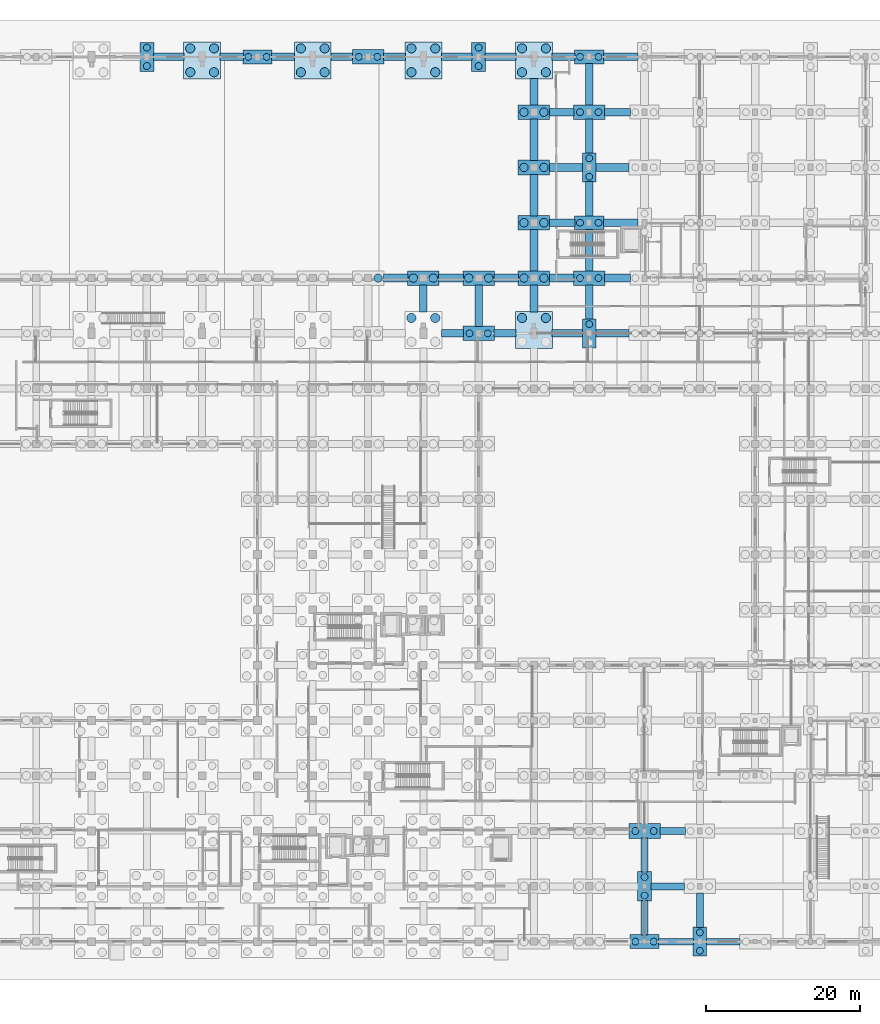
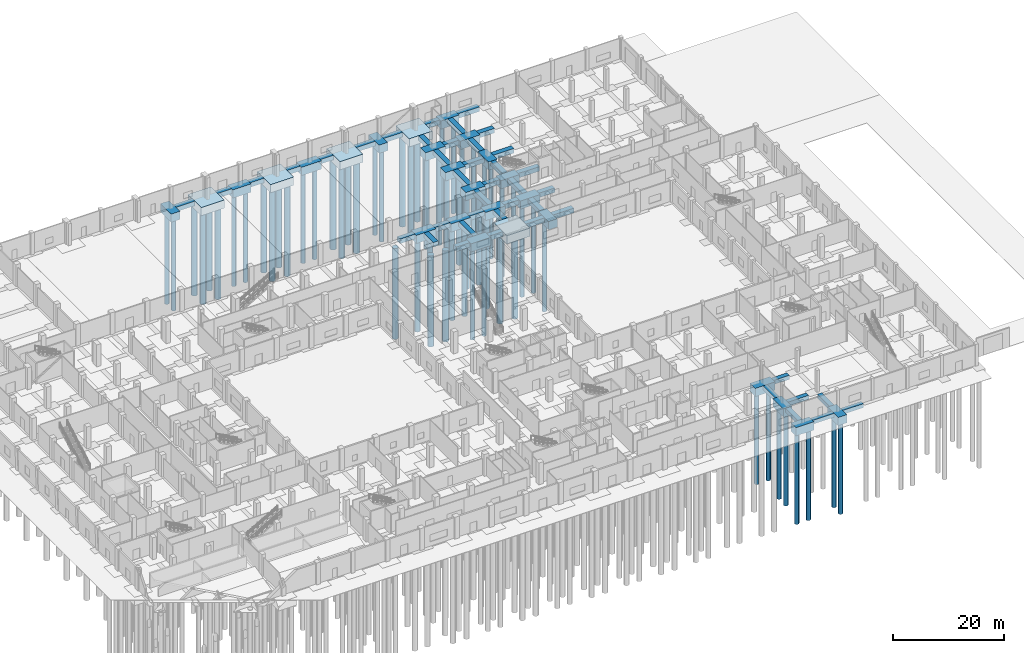
# One storey, part 9 of 48: 69 footings, 62 piles.
"""IFC4 building model written with IfcOpenShell, lengths in metres."""

from ifc_helpers import new_model, si_unit, direction, frame, origin, origin_2d, place, context, subcontext, project, spatial, rectangle, circle, extrude, material, material_profile, profile_set, type_object, element, save


model = new_model("IFC4")

# Units and contexts
model_context = context("Model", 3, precision=1e-05, world=origin(), true_north=direction((0.0, 1.0)))
body_context = subcontext(model_context, "Body", "Model", "MODEL_VIEW")
ifc_project = project(units=[si_unit("LENGTHUNIT", "METRE"), si_unit("AREAUNIT", "SQUARE_METRE"), si_unit("VOLUMEUNIT", "CUBIC_METRE"), si_unit("PLANEANGLEUNIT", "RADIAN"), si_unit("MASSUNIT", "GRAM", prefix="KILO")], contexts=[model_context])

# Site, building, storey
site_placement = place(None, origin())
site = spatial("IfcSite", under=ifc_project, at=site_placement, CompositionType="ELEMENT")
building_placement = place(site_placement, origin())
building = spatial("IfcBuilding", under=site, at=building_placement, Name="Seraya Terrace Polytechnic", CompositionType="ELEMENT")
storey_placement = place(building_placement, origin())
storey = spatial("IfcBuildingStorey", under=building, at=storey_placement, Name="L00", CompositionType="ELEMENT", Elevation=0.0)

# Piles
ifc_material = material(Name="Concrete C40/50", Category="concrete")
ifc_material_profile_1 = material_profile(ifc_material, circle(Radius=0.449951171875, at=origin_2d()), Name="DIA 900")
ifc_profile_set_1 = profile_set([ifc_material_profile_1], Name="Concrete C40/50")
pile_type_1 = type_object("IfcPileType", Name="BP-02", PredefinedType="BORED", material=ifc_profile_set_1)
for number, where, z_axis, x_axis, name in (
    (1, (64.800048828125, 114.0, -1.699951171875), (0.0, 0.0, -1.0), (1.0, 0.0, 0.0), "Bored pile BP-02 0648_1152-1"),
    (2, (64.800048828125, 116.39990234375, -1.699951171875), (0.0, 0.0, -1.0), (1.0, 0.0, 0.0), "Bored pile BP-02 0648_1152-2"),
    (3, (78.0, 115.199951171875, -1.699951171875), (0.0, 0.0, -1.0), (1.0, 0.0, 0.0), "Bored pile BP-02 0792_1152-1"),
    (4, (80.39990234375, 115.199951171875, -1.699951171875), (0.0, 0.0, -1.0), (1.0, 0.0, 0.0), "Bored pile BP-02 0792_1152-2"),
    (5, (92.39990234375, 115.199951171875, -1.699951171875), (0.0, 0.0, -1.0), (1.0, 0.0, 0.0), "Bored pile BP-02 0936_1152-1"),
    (6, (94.800048828125, 115.199951171875, -1.699951171875), (0.0, 0.0, -1.0), (1.0, 0.0, 0.0), "Bored pile BP-02 0936_1152-2"),
    (7, (106.800048828125, 79.199951171875, -1.699951171875), (0.0, 0.0, -1.0), (1.0, 0.0, 0.0), "Bored pile BP-02 1080_0792-1"),
    (8, (109.199951171875, 79.199951171875, -1.699951171875), (0.0, 0.0, -1.0), (1.0, 0.0, 0.0), "Bored pile BP-02 1080_0792-2"),
    (9, (108.0, 114.0, -1.699951171875), (0.0, 0.0, -1.0), (1.0, 0.0, 0.0), "Bored pile BP-02 1080_1152-1"),
    (10, (108.0, 116.39990234375, -1.699951171875), (0.0, 0.0, -1.0), (1.0, 0.0, 0.0), "Bored pile BP-02 1080_1152-2"),
    (11, (122.39990234375, 80.39990234375, -1.699951171875), (0.0, 0.0, -1.0), (1.0, 0.0, 0.0), "Bored pile BP-02 1224_0792-2"),
    (12, (121.199951171875, 86.39990234375, -1.699951171875), (0.0, 0.0, -1.0), (1.0, 0.0, 0.0), "Bored pile BP-02 1224_0864-1"),
    (13, (123.60009765625, 86.39990234375, -1.699951171875), (0.0, 0.0, -1.0), (1.0, 0.0, 0.0), "Bored pile BP-02 1224_0864-2"),
    (14, (121.199951171875, 93.60009765625, -1.699951171875), (0.0, 0.0, -1.0), (1.0, 0.0, 0.0), "Bored pile BP-02 1224_0936-1"),
    (15, (123.60009765625, 93.60009765625, -1.699951171875), (0.0, 0.0, -1.0), (1.0, 0.0, 0.0), "Bored pile BP-02 1224_0936-2"),
    (16, (122.39990234375, 99.60009765625, -1.699951171875), (0.0, 0.0, -1.0), (1.0, 0.0, 0.0), "Bored pile BP-02 1224_1008-1"),
    (17, (122.39990234375, 102.0, -1.699951171875), (0.0, 0.0, -1.0), (1.0, 0.0, 0.0), "Bored pile BP-02 1224_1008-2"),
    (18, (121.199951171875, 108.0, -1.699951171875), (0.0, 0.0, -1.0), (1.0, 0.0, 0.0), "Bored pile BP-02 1224_1080-1"),
    (19, (123.60009765625, 108.0, -1.699951171875), (0.0, 0.0, -1.0), (1.0, 0.0, 0.0), "Bored pile BP-02 1224_1080-2"),
    (20, (121.199951171875, 115.199951171875, -1.699951171875), (0.0, 0.0, -1.0), (1.0, 0.0, 0.0), "Bored pile BP-02 1224_1152-1"),
    (21, (123.60009765625, 115.199951171875, -1.699951171875), (0.0, 0.0, -1.0), (1.0, 0.0, 0.0), "Bored pile BP-02 1224_1152-2"),
    (22, (128.39990234375, 0.0, -1.699951171875), (0.0, 0.0, -1.0), (1.0, 0.0, 0.0), "Bored pile BP-02 1296_0000-1"),
    (23, (130.800048828125, 0.0, -1.699951171875), (0.0, 0.0, -1.0), (1.0, 0.0, 0.0), "Bored pile BP-02 1296_0000-2"),
    (24, (129.60009765625, 6.0, -1.699951171875), (0.0, 0.0, -1.0), (1.0, 0.0, 0.0), "Bored pile BP-02 1296_0072-1"),
    (25, (129.60009765625, 8.39990234375, -1.699951171875), (0.0, 0.0, -1.0), (1.0, 0.0, 0.0), "Bored pile BP-02 1296_0072-2"),
    (26, (128.39990234375, 14.39990234375, -1.699951171875), (0.0, 0.0, -1.0), (1.0, 0.0, 0.0), "Bored pile BP-02 1296_0144-1"),
    (27, (130.800048828125, 14.39990234375, -1.699951171875), (0.0, 0.0, -1.0), (1.0, 0.0, 0.0), "Bored pile BP-02 1296_0144-2"),
    (28, (136.800048828125, -1.199951171875, -1.699951171875), (0.0, 0.0, -1.0), (1.0, 0.0, 0.0), "Bored pile BP-02 1368_0000-1"),
    (29, (136.800048828125, 1.199951171875, -1.699951171875), (0.0, 0.0, -1.0), (1.0, 0.0, 0.0), "Bored pile BP-02 1368_0000-2"),
):
    element("IfcPile", number, at=place(storey_placement, frame(where, z_axis=z_axis, x_axis=x_axis)), inside=storey, type_object=pile_type_1, Name=name, PredefinedType="BORED", context=body_context, shape_type="SweptSolid", body=[
        extrude(circle(Radius=0.449951171875, at=origin_2d()), origin(), (0.0, 0.0, 1.0), 20.0),
    ])
ifc_material_profile_2 = material_profile(ifc_material, circle(Radius=0.550048828125, at=origin_2d()), Name="DIA 1100")
ifc_profile_set_2 = profile_set([ifc_material_profile_2], Name="Concrete C40/50")
pile_type_2 = type_object("IfcPileType", Name="BP-04", PredefinedType="BORED", material=ifc_profile_set_2)
for number, where, z_axis, x_axis, name in (
    (30, (94.89990234375, 86.39990234375, -1.699951171875), (0.0, 0.0, -1.0), (1.0, 0.0, 0.0), "Bored pile BP-04 0936_0864-2"),
    (31, (99.5, 86.39990234375, -1.699951171875), (0.0, 0.0, -1.0), (1.0, 0.0, 0.0), "Bored pile BP-04 1008_0864-1"),
    (32, (102.10009765625, 86.39990234375, -1.699951171875), (0.0, 0.0, -1.0), (1.0, 0.0, 0.0), "Bored pile BP-04 1008_0864-2"),
    (33, (106.699951171875, 86.39990234375, -1.699951171875), (0.0, 0.0, -1.0), (1.0, 0.0, 0.0), "Bored pile BP-04 1080_0864-1"),
    (34, (109.300048828125, 86.39990234375, -1.699951171875), (0.0, 0.0, -1.0), (1.0, 0.0, 0.0), "Bored pile BP-04 1080_0864-2"),
    (35, (113.89990234375, 86.39990234375, -1.699951171875), (0.0, 0.0, -1.0), (1.0, 0.0, 0.0), "Bored pile BP-04 1152_0864-1"),
    (36, (116.5, 86.39990234375, -1.699951171875), (0.0, 0.0, -1.0), (1.0, 0.0, 0.0), "Bored pile BP-04 1152_0864-2"),
    (37, (113.89990234375, 93.60009765625, -1.699951171875), (0.0, 0.0, -1.0), (1.0, 0.0, 0.0), "Bored pile BP-04 1152_0936-1"),
    (38, (116.5, 93.60009765625, -1.699951171875), (0.0, 0.0, -1.0), (1.0, 0.0, 0.0), "Bored pile BP-04 1152_0936-2"),
    (39, (113.89990234375, 100.800048828125, -1.699951171875), (0.0, 0.0, -1.0), (1.0, 0.0, 0.0), "Bored pile BP-04 1152_1008-1"),
    (40, (116.5, 100.800048828125, -1.699951171875), (0.0, 0.0, -1.0), (1.0, 0.0, 0.0), "Bored pile BP-04 1152_1008-2"),
    (41, (113.89990234375, 108.0, -1.699951171875), (0.0, 0.0, -1.0), (1.0, 0.0, 0.0), "Bored pile BP-04 1152_1080-1"),
    (42, (116.5, 108.0, -1.699951171875), (0.0, 0.0, -1.0), (1.0, 0.0, 0.0), "Bored pile BP-04 1152_1080-2"),
):
    element("IfcPile", number, at=place(storey_placement, frame(where, z_axis=z_axis, x_axis=x_axis)), inside=storey, type_object=pile_type_2, Name=name, PredefinedType="BORED", context=body_context, shape_type="SweptSolid", body=[
        extrude(circle(Radius=0.550048828125, at=origin_2d()), origin(), (0.0, 0.0, 1.0), 20.0),
    ])
ifc_material_profile_3 = material_profile(ifc_material, circle(Radius=0.60009765625, at=origin_2d()), Name="DIA 1200")
ifc_profile_set_3 = profile_set([ifc_material_profile_3], Name="Concrete C40/50")
pile_type_3 = type_object("IfcPileType", Name="BP-05", PredefinedType="BORED", material=ifc_profile_set_3)
for number, where, z_axis, x_axis, name in (
    (43, (70.449951171875, 113.199951171875, -1.699951171875), (0.0, 0.0, -1.0), (1.0, 0.0, 0.0), "Bored pile BP-05 0720_1152-1"),
    (44, (73.550048828125, 113.199951171875, -1.699951171875), (0.0, 0.0, -1.0), (1.0, 0.0, 0.0), "Bored pile BP-05 0720_1152-2"),
    (45, (70.449951171875, 116.300048828125, -1.699951171875), (0.0, 0.0, -1.0), (1.0, 0.0, 0.0), "Bored pile BP-05 0720_1152-3"),
    (46, (73.550048828125, 116.300048828125, -1.699951171875), (0.0, 0.0, -1.0), (1.0, 0.0, 0.0), "Bored pile BP-05 0720_1152-4"),
    (47, (84.85009765625, 113.199951171875, -1.699951171875), (0.0, 0.0, -1.0), (1.0, 0.0, 0.0), "Bored pile BP-05 0864_1152-1"),
    (48, (87.949951171875, 113.199951171875, -1.699951171875), (0.0, 0.0, -1.0), (1.0, 0.0, 0.0), "Bored pile BP-05 0864_1152-2"),
    (49, (84.85009765625, 116.300048828125, -1.699951171875), (0.0, 0.0, -1.0), (1.0, 0.0, 0.0), "Bored pile BP-05 0864_1152-3"),
    (50, (87.949951171875, 116.300048828125, -1.699951171875), (0.0, 0.0, -1.0), (1.0, 0.0, 0.0), "Bored pile BP-05 0864_1152-4"),
    (51, (99.25, 81.199951171875, -1.699951171875), (0.0, 0.0, -1.0), (1.0, 0.0, 0.0), "Bored pile BP-05 1008_0792-3"),
    (52, (102.35009765625, 81.199951171875, -1.699951171875), (0.0, 0.0, -1.0), (1.0, 0.0, 0.0), "Bored pile BP-05 1008_0792-4"),
    (53, (99.25, 113.199951171875, -1.699951171875), (0.0, 0.0, -1.0), (1.0, 0.0, 0.0), "Bored pile BP-05 1008_1152-1"),
    (54, (102.35009765625, 113.199951171875, -1.699951171875), (0.0, 0.0, -1.0), (1.0, 0.0, 0.0), "Bored pile BP-05 1008_1152-2"),
    (55, (99.25, 116.300048828125, -1.699951171875), (0.0, 0.0, -1.0), (1.0, 0.0, 0.0), "Bored pile BP-05 1008_1152-3"),
    (56, (102.35009765625, 116.300048828125, -1.699951171875), (0.0, 0.0, -1.0), (1.0, 0.0, 0.0), "Bored pile BP-05 1008_1152-4"),
    (57, (113.64990234375, 81.199951171875, -1.699951171875), (0.0, 0.0, -1.0), (1.0, 0.0, 0.0), "Bored pile BP-05 1152_0792-3"),
    (58, (116.75, 81.199951171875, -1.699951171875), (0.0, 0.0, -1.0), (1.0, 0.0, 0.0), "Bored pile BP-05 1152_0792-4"),
    (59, (113.64990234375, 113.199951171875, -1.699951171875), (0.0, 0.0, -1.0), (1.0, 0.0, 0.0), "Bored pile BP-05 1152_1152-1"),
    (60, (116.75, 113.199951171875, -1.699951171875), (0.0, 0.0, -1.0), (1.0, 0.0, 0.0), "Bored pile BP-05 1152_1152-2"),
    (61, (113.64990234375, 116.300048828125, -1.699951171875), (0.0, 0.0, -1.0), (1.0, 0.0, 0.0), "Bored pile BP-05 1152_1152-3"),
    (62, (116.75, 116.300048828125, -1.699951171875), (0.0, 0.0, -1.0), (1.0, 0.0, 0.0), "Bored pile BP-05 1152_1152-4"),
):
    element("IfcPile", number, at=place(storey_placement, frame(where, z_axis=z_axis, x_axis=x_axis)), inside=storey, type_object=pile_type_3, Name=name, PredefinedType="BORED", context=body_context, shape_type="SweptSolid", body=[
        extrude(circle(Radius=0.60009765625, at=origin_2d()), origin(), (0.0, 0.0, 1.0), 20.0),
    ])

# Footings
footing_type_1 = type_object("IfcFootingType", Name="FB-01", PredefinedType="FOOTING_BEAM", material=ifc_material)
footing_1_placement = place(storey_placement, frame((129.60009765625, 3.10009765625, -0.89990234375), z_axis=(0.0, 0.0, 1.0), x_axis=(0.0, 1.0, 0.0)))
element("IfcFooting", 63, at=footing_1_placement, inside=storey, type_object=footing_type_1, Name="Foundation tie beam FB-01 Y", PredefinedType="FOOTING_BEAM", context=body_context, shape_type="SweptSolid", body=[
    extrude(rectangle(XDim=4.5, YDim=0.89990234375, at=origin_2d()), origin(), (0.0, 0.0, 1.0), 0.89990234375),
])
footing_2_placement = place(storey_placement, frame((132.625, 7.199951171875, -0.89990234375), z_axis=(0.0, 0.0, 1.0), x_axis=(1.0, 0.0, 0.0)))
element("IfcFooting", 64, at=footing_2_placement, inside=storey, type_object=footing_type_1, Name="Foundation tie beam FB-01 X", PredefinedType="FOOTING_BEAM", context=body_context, shape_type="SweptSolid", body=[
    extrude(rectangle(XDim=4.35009765625, YDim=0.89990234375, at=origin_2d()), origin(), (0.0, 0.0, 1.0), 0.89990234375),
])
footing_3_placement = place(storey_placement, frame((129.60009765625, 11.27490234375, -0.89990234375), z_axis=(0.0, 0.0, 1.0), x_axis=(0.0, 1.0, 0.0)))
element("IfcFooting", 65, at=footing_3_placement, inside=storey, type_object=footing_type_1, Name="Foundation tie beam FB-01 Y", PredefinedType="FOOTING_BEAM", context=body_context, shape_type="SweptSolid", body=[
    extrude(rectangle(XDim=4.449951171875, YDim=0.89990234375, at=origin_2d()), origin(), (0.0, 0.0, 1.0), 0.89990234375),
])
footing_4_placement = place(storey_placement, frame((133.27490234375, 14.39990234375, -0.89990234375), z_axis=(0.0, 0.0, 1.0), x_axis=(1.0, 0.0, 0.0)))
element("IfcFooting", 66, at=footing_4_placement, inside=storey, type_object=footing_type_1, Name="Foundation tie beam FB-01 X", PredefinedType="FOOTING_BEAM", context=body_context, shape_type="SweptSolid", body=[
    extrude(rectangle(XDim=3.35009765625, YDim=0.89990234375, at=origin_2d()), origin(), (0.0, 0.0, 1.0), 0.89990234375),
])
footing_5_placement = place(storey_placement, frame((136.800048828125, 4.074951171875, -0.89990234375), z_axis=(0.0, 0.0, 1.0), x_axis=(0.0, 1.0, 0.0)))
element("IfcFooting", 67, at=footing_5_placement, inside=storey, type_object=footing_type_1, Name="Foundation tie beam FB-01 Y", PredefinedType="FOOTING_BEAM", context=body_context, shape_type="SweptSolid", body=[
    extrude(rectangle(XDim=4.449951171875, YDim=0.89990234375, at=origin_2d()), origin(), (0.0, 0.0, 1.0), 0.89990234375),
])
footing_type_2 = type_object("IfcFootingType", Name="FB-03", PredefinedType="FOOTING_BEAM", material=ifc_material)
footing_6_placement = place(storey_placement, frame((67.64990234375, 115.199951171875, -1.0), z_axis=(0.0, 0.0, 1.0), x_axis=(1.0, 0.0, 0.0)))
element("IfcFooting", 68, at=footing_6_placement, inside=storey, type_object=footing_type_2, Name="Foundation tie beam FB-03 X", PredefinedType="FOOTING_BEAM", context=body_context, shape_type="SweptSolid", body=[
    extrude(rectangle(XDim=4.0, YDim=1.0, at=origin_2d()), origin(), (0.0, 0.0, 1.0), 1.0),
])
for number, where, z_axis, x_axis, name in (
    (69, (75.85009765625, 115.199951171875, -1.0), (0.0, 0.0, 1.0), (1.0, 0.0, 0.0), "Foundation tie beam FB-03 X"),
    (70, (82.550048828125, 115.199951171875, -1.0), (0.0, 0.0, 1.0), (1.0, 0.0, 0.0), "Foundation tie beam FB-03 X"),
):
    element("IfcFooting", number, at=place(storey_placement, frame(where, z_axis=z_axis, x_axis=x_axis)), inside=storey, type_object=footing_type_2, Name=name, PredefinedType="FOOTING_BEAM", context=body_context, shape_type="SweptSolid", body=[
        extrude(rectangle(XDim=3.0, YDim=1.0, at=origin_2d()), origin(), (0.0, 0.0, 1.0), 1.0),
    ])
footing_7_placement = place(storey_placement, frame((90.175048828125, 115.199951171875, -1.0), z_axis=(0.0, 0.0, 1.0), x_axis=(1.0, 0.0, 0.0)))
element("IfcFooting", 71, at=footing_7_placement, inside=storey, type_object=footing_type_2, Name="Foundation tie beam FB-03 X", PredefinedType="FOOTING_BEAM", context=body_context, shape_type="SweptSolid", body=[
    extrude(rectangle(XDim=2.85009765625, YDim=1.0, at=origin_2d()), origin(), (0.0, 0.0, 1.0), 1.0),
])
footing_8_placement = place(storey_placement, frame((97.199951171875, 86.39990234375, -1.0), z_axis=(0.0, 0.0, 1.0), x_axis=(1.0, 0.0, 0.0)))
element("IfcFooting", 72, at=footing_8_placement, inside=storey, type_object=footing_type_2, Name="Foundation tie beam FB-03 X", PredefinedType="FOOTING_BEAM", context=body_context, shape_type="SweptSolid", body=[
    extrude(rectangle(XDim=3.199951171875, YDim=1.0, at=origin_2d()), origin(), (0.0, 0.0, 1.0), 1.0),
])
for number, where, z_axis, x_axis, name in (
    (73, (97.02490234375, 115.199951171875, -1.0), (0.0, 0.0, 1.0), (1.0, 0.0, 0.0), "Foundation tie beam FB-03 X"),
    (74, (104.574951171875, 79.199951171875, -1.0), (0.0, 0.0, 1.0), (1.0, 0.0, 0.0), "Foundation tie beam FB-03 X"),
):
    element("IfcFooting", number, at=place(storey_placement, frame(where, z_axis=z_axis, x_axis=x_axis)), inside=storey, type_object=footing_type_2, Name=name, PredefinedType="FOOTING_BEAM", context=body_context, shape_type="SweptSolid", body=[
        extrude(rectangle(XDim=2.85009765625, YDim=1.0, at=origin_2d()), origin(), (0.0, 0.0, 1.0), 1.0),
    ])
footing_9_placement = place(storey_placement, frame((100.800048828125, 83.75, -1.0), z_axis=(0.0, 0.0, 1.0), x_axis=(0.0, 1.0, 0.0)))
element("IfcFooting", 75, at=footing_9_placement, inside=storey, type_object=footing_type_2, Name="Foundation tie beam FB-03 Y", PredefinedType="FOOTING_BEAM", context=body_context, shape_type="SweptSolid", body=[
    extrude(rectangle(XDim=3.5, YDim=1.0, at=origin_2d()), origin(), (0.0, 0.0, 1.0), 1.0),
])
footing_10_placement = place(storey_placement, frame((104.39990234375, 86.39990234375, -1.0), z_axis=(0.0, 0.0, 1.0), x_axis=(1.0, 0.0, 0.0)))
element("IfcFooting", 76, at=footing_10_placement, inside=storey, type_object=footing_type_2, Name="Foundation tie beam FB-03 X", PredefinedType="FOOTING_BEAM", context=body_context, shape_type="SweptSolid", body=[
    extrude(rectangle(XDim=3.199951171875, YDim=1.0, at=origin_2d()), origin(), (0.0, 0.0, 1.0), 1.0),
])
footing_11_placement = place(storey_placement, frame((105.14990234375, 115.199951171875, -1.0), z_axis=(0.0, 0.0, 1.0), x_axis=(1.0, 0.0, 0.0)))
element("IfcFooting", 77, at=footing_11_placement, inside=storey, type_object=footing_type_2, Name="Foundation tie beam FB-03 X", PredefinedType="FOOTING_BEAM", context=body_context, shape_type="SweptSolid", body=[
    extrude(rectangle(XDim=4.0, YDim=1.0, at=origin_2d()), origin(), (0.0, 0.0, 1.0), 1.0),
])
footing_12_placement = place(storey_placement, frame((111.425048828125, 79.199951171875, -1.0), z_axis=(0.0, 0.0, 1.0), x_axis=(1.0, 0.0, 0.0)))
element("IfcFooting", 78, at=footing_12_placement, inside=storey, type_object=footing_type_2, Name="Foundation tie beam FB-03 X", PredefinedType="FOOTING_BEAM", context=body_context, shape_type="SweptSolid", body=[
    extrude(rectangle(XDim=2.85009765625, YDim=1.0, at=origin_2d()), origin(), (0.0, 0.0, 1.0), 1.0),
])
footing_13_placement = place(storey_placement, frame((108.0, 82.800048828125, -1.0), z_axis=(0.0, 0.0, 1.0), x_axis=(0.0, 1.0, 0.0)))
element("IfcFooting", 79, at=footing_13_placement, inside=storey, type_object=footing_type_2, Name="Foundation tie beam FB-03 Y", PredefinedType="FOOTING_BEAM", context=body_context, shape_type="SweptSolid", body=[
    extrude(rectangle(XDim=5.39990234375, YDim=1.0, at=origin_2d()), origin(), (0.0, 0.0, 1.0), 1.0),
])
footing_14_placement = place(storey_placement, frame((111.60009765625, 86.39990234375, -1.0), z_axis=(0.0, 0.0, 1.0), x_axis=(1.0, 0.0, 0.0)))
element("IfcFooting", 80, at=footing_14_placement, inside=storey, type_object=footing_type_2, Name="Foundation tie beam FB-03 X", PredefinedType="FOOTING_BEAM", context=body_context, shape_type="SweptSolid", body=[
    extrude(rectangle(XDim=3.199951171875, YDim=1.0, at=origin_2d()), origin(), (0.0, 0.0, 1.0), 1.0),
])
for number, where, z_axis, x_axis, name in (
    (81, (110.85009765625, 115.199951171875, -1.0), (0.0, 0.0, 1.0), (1.0, 0.0, 0.0), "Foundation tie beam FB-03 X"),
    (82, (119.550048828125, 79.199951171875, -1.0), (0.0, 0.0, 1.0), (1.0, 0.0, 0.0), "Foundation tie beam FB-03 X"),
):
    element("IfcFooting", number, at=place(storey_placement, frame(where, z_axis=z_axis, x_axis=x_axis)), inside=storey, type_object=footing_type_2, Name=name, PredefinedType="FOOTING_BEAM", context=body_context, shape_type="SweptSolid", body=[
        extrude(rectangle(XDim=4.0, YDim=1.0, at=origin_2d()), origin(), (0.0, 0.0, 1.0), 1.0),
    ])
footing_15_placement = place(storey_placement, frame((115.199951171875, 83.75, -1.0), z_axis=(0.0, 0.0, 1.0), x_axis=(0.0, 1.0, 0.0)))
element("IfcFooting", 83, at=footing_15_placement, inside=storey, type_object=footing_type_2, Name="Foundation tie beam FB-03 Y", PredefinedType="FOOTING_BEAM", context=body_context, shape_type="SweptSolid", body=[
    extrude(rectangle(XDim=3.5, YDim=1.0, at=origin_2d()), origin(), (0.0, 0.0, 1.0), 1.0),
])
footing_16_placement = place(storey_placement, frame((118.800048828125, 86.39990234375, -1.0), z_axis=(0.0, 0.0, 1.0), x_axis=(1.0, 0.0, 0.0)))
element("IfcFooting", 84, at=footing_16_placement, inside=storey, type_object=footing_type_2, Name="Foundation tie beam FB-03 X", PredefinedType="FOOTING_BEAM", context=body_context, shape_type="SweptSolid", body=[
    extrude(rectangle(XDim=3.199951171875, YDim=1.0, at=origin_2d()), origin(), (0.0, 0.0, 1.0), 1.0),
])
footing_17_placement = place(storey_placement, frame((115.199951171875, 90.0, -1.0), z_axis=(0.0, 0.0, 1.0), x_axis=(0.0, 1.0, 0.0)))
element("IfcFooting", 85, at=footing_17_placement, inside=storey, type_object=footing_type_2, Name="Foundation tie beam FB-03 Y", PredefinedType="FOOTING_BEAM", context=body_context, shape_type="SweptSolid", body=[
    extrude(rectangle(XDim=5.39990234375, YDim=1.0, at=origin_2d()), origin(), (0.0, 0.0, 1.0), 1.0),
])
footing_18_placement = place(storey_placement, frame((118.875, 93.60009765625, -1.0), z_axis=(0.0, 0.0, 1.0), x_axis=(1.0, 0.0, 0.0)))
element("IfcFooting", 86, at=footing_18_placement, inside=storey, type_object=footing_type_2, Name="Foundation tie beam FB-03 X", PredefinedType="FOOTING_BEAM", context=body_context, shape_type="SweptSolid", body=[
    extrude(rectangle(XDim=3.35009765625, YDim=1.0, at=origin_2d()), origin(), (0.0, 0.0, 1.0), 1.0),
])
footing_19_placement = place(storey_placement, frame((115.199951171875, 97.199951171875, -1.0), z_axis=(0.0, 0.0, 1.0), x_axis=(0.0, 1.0, 0.0)))
element("IfcFooting", 87, at=footing_19_placement, inside=storey, type_object=footing_type_2, Name="Foundation tie beam FB-03 Y", PredefinedType="FOOTING_BEAM", context=body_context, shape_type="SweptSolid", body=[
    extrude(rectangle(XDim=5.39990234375, YDim=1.0, at=origin_2d()), origin(), (0.0, 0.0, 1.0), 1.0),
])
footing_20_placement = place(storey_placement, frame((119.375, 100.800048828125, -1.0), z_axis=(0.0, 0.0, 1.0), x_axis=(1.0, 0.0, 0.0)))
element("IfcFooting", 88, at=footing_20_placement, inside=storey, type_object=footing_type_2, Name="Foundation tie beam FB-03 X", PredefinedType="FOOTING_BEAM", context=body_context, shape_type="SweptSolid", body=[
    extrude(rectangle(XDim=4.35009765625, YDim=1.0, at=origin_2d()), origin(), (0.0, 0.0, 1.0), 1.0),
])
footing_21_placement = place(storey_placement, frame((115.199951171875, 104.39990234375, -1.0), z_axis=(0.0, 0.0, 1.0), x_axis=(0.0, 1.0, 0.0)))
element("IfcFooting", 89, at=footing_21_placement, inside=storey, type_object=footing_type_2, Name="Foundation tie beam FB-03 Y", PredefinedType="FOOTING_BEAM", context=body_context, shape_type="SweptSolid", body=[
    extrude(rectangle(XDim=5.39990234375, YDim=1.0, at=origin_2d()), origin(), (0.0, 0.0, 1.0), 1.0),
])
footing_22_placement = place(storey_placement, frame((118.800048828125, 108.0, -1.0), z_axis=(0.0, 0.0, 1.0), x_axis=(1.0, 0.0, 0.0)))
element("IfcFooting", 90, at=footing_22_placement, inside=storey, type_object=footing_type_2, Name="Foundation tie beam FB-03 X", PredefinedType="FOOTING_BEAM", context=body_context, shape_type="SweptSolid", body=[
    extrude(rectangle(XDim=3.199951171875, YDim=1.0, at=origin_2d()), origin(), (0.0, 0.0, 1.0), 1.0),
])
footing_23_placement = place(storey_placement, frame((115.199951171875, 110.64990234375, -1.0), z_axis=(0.0, 0.0, 1.0), x_axis=(0.0, 1.0, 0.0)))
element("IfcFooting", 91, at=footing_23_placement, inside=storey, type_object=footing_type_2, Name="Foundation tie beam FB-03 Y", PredefinedType="FOOTING_BEAM", context=body_context, shape_type="SweptSolid", body=[
    extrude(rectangle(XDim=3.5, YDim=1.0, at=origin_2d()), origin(), (0.0, 0.0, 1.0), 1.0),
])
footing_24_placement = place(storey_placement, frame((119.050048828125, 115.199951171875, -1.0), z_axis=(0.0, 0.0, 1.0), x_axis=(1.0, 0.0, 0.0)))
element("IfcFooting", 92, at=footing_24_placement, inside=storey, type_object=footing_type_2, Name="Foundation tie beam FB-03 X", PredefinedType="FOOTING_BEAM", context=body_context, shape_type="SweptSolid", body=[
    extrude(rectangle(XDim=3.0, YDim=1.0, at=origin_2d()), origin(), (0.0, 0.0, 1.0), 1.0),
])
footing_25_placement = place(storey_placement, frame((125.425048828125, 79.199951171875, -1.0), z_axis=(0.0, 0.0, 1.0), x_axis=(1.0, 0.0, 0.0)))
element("IfcFooting", 93, at=footing_25_placement, inside=storey, type_object=footing_type_2, Name="Foundation tie beam FB-03 X", PredefinedType="FOOTING_BEAM", context=body_context, shape_type="SweptSolid", body=[
    extrude(rectangle(XDim=4.35009765625, YDim=1.0, at=origin_2d()), origin(), (0.0, 0.0, 1.0), 1.0),
])
footing_26_placement = place(storey_placement, frame((122.39990234375, 83.27490234375, -1.0), z_axis=(0.0, 0.0, 1.0), x_axis=(0.0, 1.0, 0.0)))
element("IfcFooting", 94, at=footing_26_placement, inside=storey, type_object=footing_type_2, Name="Foundation tie beam FB-03 Y", PredefinedType="FOOTING_BEAM", context=body_context, shape_type="SweptSolid", body=[
    extrude(rectangle(XDim=4.449951171875, YDim=1.0, at=origin_2d()), origin(), (0.0, 0.0, 1.0), 1.0),
])
footing_27_placement = place(storey_placement, frame((126.074951171875, 86.39990234375, -1.0), z_axis=(0.0, 0.0, 1.0), x_axis=(1.0, 0.0, 0.0)))
element("IfcFooting", 95, at=footing_27_placement, inside=storey, type_object=footing_type_2, Name="Foundation tie beam FB-03 X", PredefinedType="FOOTING_BEAM", context=body_context, shape_type="SweptSolid", body=[
    extrude(rectangle(XDim=3.35009765625, YDim=1.0, at=origin_2d()), origin(), (0.0, 0.0, 1.0), 1.0),
])
footing_28_placement = place(storey_placement, frame((122.39990234375, 90.02490234375, -1.0), z_axis=(0.0, 0.0, 1.0), x_axis=(0.0, 1.0, 0.0)))
element("IfcFooting", 96, at=footing_28_placement, inside=storey, type_object=footing_type_2, Name="Foundation tie beam FB-03 Y", PredefinedType="FOOTING_BEAM", context=body_context, shape_type="SweptSolid", body=[
    extrude(rectangle(XDim=5.449951171875, YDim=1.0, at=origin_2d()), origin(), (0.0, 0.0, 1.0), 1.0),
])
for number, where, z_axis, x_axis, name in (
    (97, (126.5, 93.60009765625, -1.0), (0.0, 0.0, 1.0), (1.0, 0.0, 0.0), "Foundation tie beam FB-03 X"),
    (98, (122.39990234375, 96.699951171875, -1.0), (0.0, 0.0, 1.0), (0.0, 1.0, 0.0), "Foundation tie beam FB-03 Y"),
):
    element("IfcFooting", number, at=place(storey_placement, frame(where, z_axis=z_axis, x_axis=x_axis)), inside=storey, type_object=footing_type_2, Name=name, PredefinedType="FOOTING_BEAM", context=body_context, shape_type="SweptSolid", body=[
        extrude(rectangle(XDim=4.5, YDim=1.0, at=origin_2d()), origin(), (0.0, 0.0, 1.0), 1.0),
    ])
footing_29_placement = place(storey_placement, frame((125.425048828125, 100.800048828125, -1.0), z_axis=(0.0, 0.0, 1.0), x_axis=(1.0, 0.0, 0.0)))
element("IfcFooting", 99, at=footing_29_placement, inside=storey, type_object=footing_type_2, Name="Foundation tie beam FB-03 X", PredefinedType="FOOTING_BEAM", context=body_context, shape_type="SweptSolid", body=[
    extrude(rectangle(XDim=4.35009765625, YDim=1.0, at=origin_2d()), origin(), (0.0, 0.0, 1.0), 1.0),
])
footing_30_placement = place(storey_placement, frame((122.39990234375, 104.875, -1.0), z_axis=(0.0, 0.0, 1.0), x_axis=(0.0, 1.0, 0.0)))
element("IfcFooting", 100, at=footing_30_placement, inside=storey, type_object=footing_type_2, Name="Foundation tie beam FB-03 Y", PredefinedType="FOOTING_BEAM", context=body_context, shape_type="SweptSolid", body=[
    extrude(rectangle(XDim=4.449951171875, YDim=1.0, at=origin_2d()), origin(), (0.0, 0.0, 1.0), 1.0),
])
footing_31_placement = place(storey_placement, frame((126.074951171875, 108.0, -1.0), z_axis=(0.0, 0.0, 1.0), x_axis=(1.0, 0.0, 0.0)))
element("IfcFooting", 101, at=footing_31_placement, inside=storey, type_object=footing_type_2, Name="Foundation tie beam FB-03 X", PredefinedType="FOOTING_BEAM", context=body_context, shape_type="SweptSolid", body=[
    extrude(rectangle(XDim=3.35009765625, YDim=1.0, at=origin_2d()), origin(), (0.0, 0.0, 1.0), 1.0),
])
footing_32_placement = place(storey_placement, frame((122.39990234375, 111.625, -1.0), z_axis=(0.0, 0.0, 1.0), x_axis=(0.0, 1.0, 0.0)))
element("IfcFooting", 102, at=footing_32_placement, inside=storey, type_object=footing_type_2, Name="Foundation tie beam FB-03 Y", PredefinedType="FOOTING_BEAM", context=body_context, shape_type="SweptSolid", body=[
    extrude(rectangle(XDim=5.449951171875, YDim=1.0, at=origin_2d()), origin(), (0.0, 0.0, 1.0), 1.0),
])
footing_33_placement = place(storey_placement, frame((126.5, 115.199951171875, -1.0), z_axis=(0.0, 0.0, 1.0), x_axis=(1.0, 0.0, 0.0)))
element("IfcFooting", 103, at=footing_33_placement, inside=storey, type_object=footing_type_2, Name="Foundation tie beam FB-03 X", PredefinedType="FOOTING_BEAM", context=body_context, shape_type="SweptSolid", body=[
    extrude(rectangle(XDim=4.5, YDim=1.0, at=origin_2d()), origin(), (0.0, 0.0, 1.0), 1.0),
])
footing_type_3 = type_object("IfcFootingType", Name="FB-04", PredefinedType="FOOTING_BEAM", material=ifc_material)
footing_34_placement = place(storey_placement, frame((133.699951171875, 0.0, -0.85009765625), z_axis=(0.0, 0.0, 1.0), x_axis=(1.0, 0.0, 0.0)))
element("IfcFooting", 104, at=footing_34_placement, inside=storey, type_object=footing_type_3, Name="Foundation tie beam FB-04 X", PredefinedType="FOOTING_BEAM", context=body_context, shape_type="SweptSolid", body=[
    extrude(rectangle(XDim=4.5, YDim=0.85009765625, at=origin_2d()), origin(), (0.0, 0.0, 1.0), 0.85009765625),
])
footing_35_placement = place(storey_placement, frame((139.824951171875, 0.0, -0.85009765625), z_axis=(0.0, 0.0, 1.0), x_axis=(1.0, 0.0, 0.0)))
element("IfcFooting", 105, at=footing_35_placement, inside=storey, type_object=footing_type_3, Name="Foundation tie beam FB-04 X", PredefinedType="FOOTING_BEAM", context=body_context, shape_type="SweptSolid", body=[
    extrude(rectangle(XDim=4.35009765625, YDim=0.85009765625, at=origin_2d()), origin(), (0.0, 0.0, 1.0), 0.85009765625),
])
footing_type_4 = type_object("IfcFootingType", Name="PC-03", PredefinedType="PILE_CAP", material=ifc_material)
for number, where, z_axis, x_axis, name in (
    (106, (79.199951171875, 115.199951171875, -1.7998046875), (0.0, 0.0, 1.0), (1.0, 0.0, 0.0), "Pile cap PC-03 at (79.2, 115.2)"),
    (107, (122.39990234375, 93.60009765625, -1.7998046875), (0.0, 0.0, 1.0), (1.0, 0.0, 0.0), "Pile cap PC-03 at (122.4, 93.6)"),
    (108, (122.39990234375, 115.199951171875, -1.7998046875), (0.0, 0.0, 1.0), (1.0, 0.0, 0.0), "Pile cap PC-03 at (122.4, 115.2)"),
    (109, (129.60009765625, 0.0, -1.7998046875), (0.0, 0.0, 1.0), (1.0, 0.0, 0.0), "Pile cap PC-03 at (129.6, 0.0)"),
):
    element("IfcFooting", number, at=place(storey_placement, frame(where, z_axis=z_axis, x_axis=x_axis)), inside=storey, type_object=footing_type_4, Name=name, PredefinedType="PILE_CAP", context=body_context, shape_type="SweptSolid", body=[
        extrude(rectangle(XDim=3.800048828125, YDim=1.800048828125, at=origin_2d()), origin(), (0.0, 0.0, 1.0), 1.800048828125),
    ])
footing_type_5 = type_object("IfcFootingType", Name="PC-04", PredefinedType="PILE_CAP", material=ifc_material)
for number, where, z_axis, x_axis, name in (
    (110, (64.800048828125, 115.199951171875, -1.7998046875), (0.0, 0.0, 1.0), (1.0, 0.0, 0.0), "Pile cap PC-04 at (64.8, 115.2)"),
    (111, (108.0, 115.199951171875, -1.7998046875), (0.0, 0.0, 1.0), (1.0, 0.0, 0.0), "Pile cap PC-04 at (108.0, 115.2)"),
    (112, (122.39990234375, 79.199951171875, -1.7998046875), (0.0, 0.0, 1.0), (1.0, 0.0, 0.0), "Pile cap PC-04 at (122.4, 79.2)"),
    (113, (122.39990234375, 100.800048828125, -1.7998046875), (0.0, 0.0, 1.0), (1.0, 0.0, 0.0), "Pile cap PC-04 at (122.4, 100.8)"),
    (114, (129.60009765625, 7.199951171875, -1.7998046875), (0.0, 0.0, 1.0), (1.0, 0.0, 0.0), "Pile cap PC-04 at (129.6, 7.2)"),
    (115, (136.800048828125, 0.0, -1.7998046875), (0.0, 0.0, 1.0), (1.0, 0.0, 0.0), "Pile cap PC-04 at (136.8, 0.0)"),
):
    element("IfcFooting", number, at=place(storey_placement, frame(where, z_axis=z_axis, x_axis=x_axis)), inside=storey, type_object=footing_type_5, Name=name, PredefinedType="PILE_CAP", context=body_context, shape_type="SweptSolid", body=[
        extrude(rectangle(XDim=1.800048828125, YDim=3.800048828125, at=origin_2d()), origin(), (0.0, 0.0, 1.0), 1.800048828125),
    ])
footing_type_6 = type_object("IfcFootingType", Name="PC-05", PredefinedType="PILE_CAP", material=ifc_material)
for number, where, z_axis, x_axis, name in (
    (116, (93.60009765625, 115.199951171875, -1.7998046875), (0.0, 0.0, 1.0), (1.0, 0.0, 0.0), "Pile cap PC-05 at (93.6, 115.2)"),
    (117, (100.800048828125, 86.39990234375, -1.7998046875), (0.0, 0.0, 1.0), (1.0, 0.0, 0.0), "Pile cap PC-05 at (100.8, 86.4)"),
    (118, (108.0, 79.199951171875, -1.7998046875), (0.0, 0.0, 1.0), (1.0, 0.0, 0.0), "Pile cap PC-05 at (108.0, 79.2)"),
    (119, (108.0, 86.39990234375, -1.7998046875), (0.0, 0.0, 1.0), (1.0, 0.0, 0.0), "Pile cap PC-05 at (108.0, 86.4)"),
    (120, (115.199951171875, 86.39990234375, -1.7998046875), (0.0, 0.0, 1.0), (1.0, 0.0, 0.0), "Pile cap PC-05 at (115.2, 86.4)"),
    (121, (115.199951171875, 93.60009765625, -1.7998046875), (0.0, 0.0, 1.0), (1.0, 0.0, 0.0), "Pile cap PC-05 at (115.2, 93.6)"),
    (122, (115.199951171875, 100.800048828125, -1.7998046875), (0.0, 0.0, 1.0), (1.0, 0.0, 0.0), "Pile cap PC-05 at (115.2, 100.8)"),
    (123, (115.199951171875, 108.0, -1.7998046875), (0.0, 0.0, 1.0), (1.0, 0.0, 0.0), "Pile cap PC-05 at (115.2, 108.0)"),
    (124, (122.39990234375, 86.39990234375, -1.7998046875), (0.0, 0.0, 1.0), (1.0, 0.0, 0.0), "Pile cap PC-05 at (122.4, 86.4)"),
    (125, (122.39990234375, 108.0, -1.7998046875), (0.0, 0.0, 1.0), (1.0, 0.0, 0.0), "Pile cap PC-05 at (122.4, 108.0)"),
    (126, (129.60009765625, 14.39990234375, -1.7998046875), (0.0, 0.0, 1.0), (1.0, 0.0, 0.0), "Pile cap PC-05 at (129.6, 14.4)"),
):
    element("IfcFooting", number, at=place(storey_placement, frame(where, z_axis=z_axis, x_axis=x_axis)), inside=storey, type_object=footing_type_6, Name=name, PredefinedType="PILE_CAP", context=body_context, shape_type="SweptSolid", body=[
        extrude(rectangle(XDim=4.10009765625, YDim=1.89990234375, at=origin_2d()), origin(), (0.0, 0.0, 1.0), 1.800048828125),
    ])
footing_type_7 = type_object("IfcFootingType", Name="PC-09", PredefinedType="PILE_CAP", material=ifc_material)
for number, where, z_axis, x_axis, name in (
    (127, (72.0, 114.75, -1.7998046875), (0.0, 0.0, 1.0), (1.0, 0.0, 0.0), "Pile cap PC-09 at (72.0, 115.2)"),
    (128, (86.39990234375, 114.75, -1.7998046875), (0.0, 0.0, 1.0), (1.0, 0.0, 0.0), "Pile cap PC-09 at (86.4, 115.2)"),
    (129, (100.800048828125, 114.75, -1.7998046875), (0.0, 0.0, 1.0), (1.0, 0.0, 0.0), "Pile cap PC-09 at (100.8, 115.2)"),
    (130, (115.199951171875, 79.64990234375, -1.7998046875), (0.0, 0.0, 1.0), (1.0, 0.0, 0.0), "Pile cap PC-09 at (115.2, 79.2)"),
    (131, (115.199951171875, 114.75, -1.7998046875), (0.0, 0.0, 1.0), (1.0, 0.0, 0.0), "Pile cap PC-09 at (115.2, 115.2)"),
):
    element("IfcFooting", number, at=place(storey_placement, frame(where, z_axis=z_axis, x_axis=x_axis)), inside=storey, type_object=footing_type_7, Name=name, PredefinedType="PILE_CAP", context=body_context, shape_type="SweptSolid", body=[
        extrude(rectangle(XDim=4.800048828125, YDim=4.800048828125, at=origin_2d()), origin(), (0.0, 0.0, 1.0), 1.800048828125),
    ])

save(model, "model.ifc")
